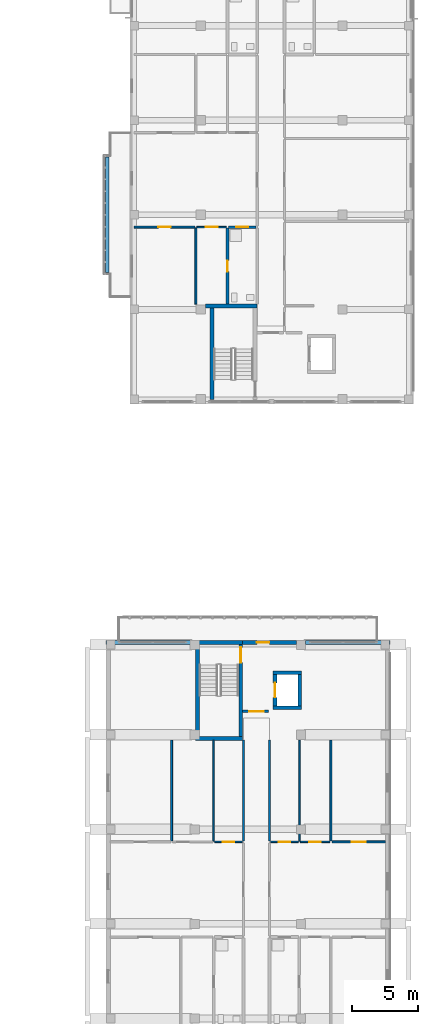
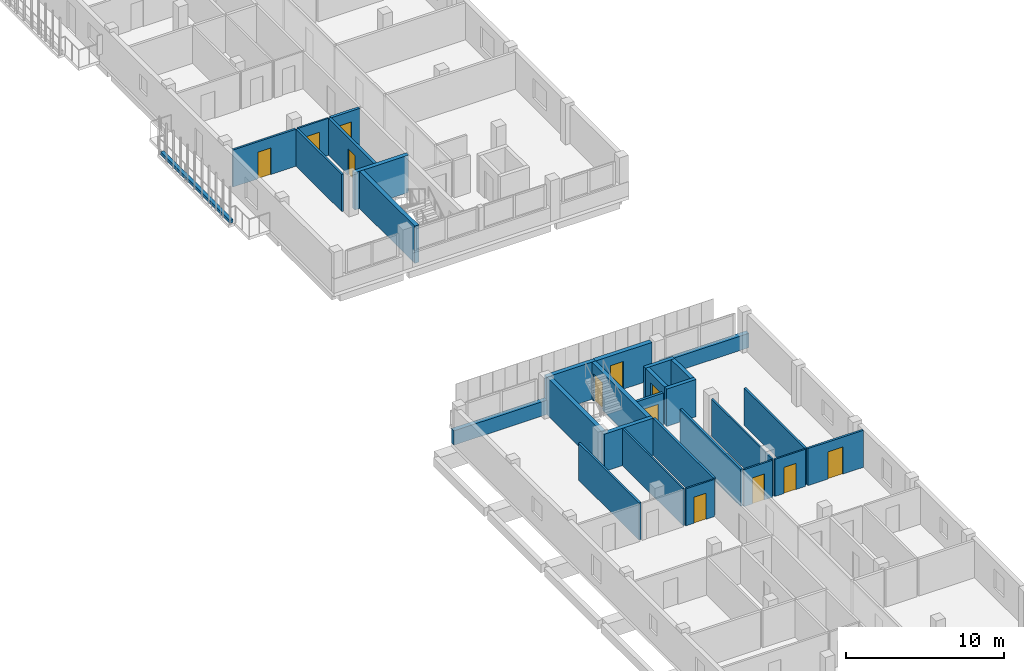
# One storey, part 33 of 51: 30 walls, 12 doors, 12 openings.
"""IFC4 building model written with IfcOpenShell, lengths in metres."""

from ifc_helpers import new_model, si_unit, derived_unit, direction, frame, frame_2d, origin, place, context, subcontext, project, spatial, rectangle, extrude, material, layer, layer_set, type_object, element, fill, save


model = new_model("IFC4")

# Units and contexts
model_context = context("Model", 3, precision=1e-05, world=origin(), true_north=direction((0.0, 1.0)))
body_context = subcontext(model_context, "Body", "Model", "MODEL_VIEW")
ifc_project = project(units=[si_unit("LENGTHUNIT", "METRE"), si_unit("AREAUNIT", "SQUARE_METRE"), si_unit("VOLUMEUNIT", "CUBIC_METRE"), si_unit("PLANEANGLEUNIT", "RADIAN"), si_unit("MASSUNIT", "GRAM", prefix="KILO"), derived_unit("THERMALTRANSMITTANCEUNIT", [(si_unit("MASSUNIT", "GRAM", prefix="KILO"), 1), (si_unit("TIMEUNIT", "SECOND"), -3), (si_unit("THERMODYNAMICTEMPERATUREUNIT", "KELVIN"), -1)])], contexts=[model_context])

# Site, building, storey
site_placement = place(None, origin())
site = spatial("IfcSite", under=ifc_project, at=site_placement, CompositionType="ELEMENT")
building_placement = place(site_placement, origin())
building = spatial("IfcBuilding", under=site, at=building_placement, Name="Ochrekiln Boulevard Commons", CompositionType="ELEMENT")
storey_placement = place(building_placement, frame((0.0, 0.0, 18.375)))
storey = spatial("IfcBuildingStorey", under=building, at=storey_placement, Name="L05", CompositionType="ELEMENT", Elevation=18.375)

# Wall, opening, door
ifc_material_1 = material(Name="Desert ochre clinker brick masonry ASTM C216 Grade SW", Category="masonry")
ifc_layer_1 = layer(ifc_material_1, 0.330078125)
ifc_layer_set_1 = layer_set([ifc_layer_1], Name="Desert ochre clinker brick masonry ASTM C216 Grade SW")
wall_type_1 = type_object("IfcWallType", Name="WL-EXT-OCHRE-330", PredefinedType="SOLIDWALL", material=ifc_layer_set_1)
wall_1_placement = place(storey_placement, frame((159.800048828125, 50.235107421875, 0.0), z_axis=(0.0, 0.0, 1.0), x_axis=(1.0, 0.0, 0.0)))
wall_1 = element("IfcWall", 1, at=wall_1_placement, inside=storey, type_object=wall_type_1, Name="Block C L05 North Balcony Door Wall", PredefinedType="SOLIDWALL", context=body_context, shape_type="SweptSolid", body=[
    extrude(rectangle(XDim=4.099853515625, YDim=0.330078125, at=frame_2d((2.0498046875, 0.0))), origin(), (0.0, 0.0, 1.0), 2.889892578125),
])
opening_1_placement = place(wall_1_placement, frame((1.074951171875, 0.0, 0.0)))
opening_1 = element("IfcOpeningElement", 2, at=opening_1_placement, cuts=wall_1, Name="Opening D-L05-CBL", PredefinedType="OPENING", context=body_context, shape_type="SweptSolid", body=[
    extrude(rectangle(XDim=0.949951171875, YDim=2.14990234375, at=frame_2d((0.47509765625, 1.074951171875))), frame((0.0, 0.175048828125, 0.0), z_axis=(0.0, -1.0, 0.0), x_axis=(1.0, 0.0, 0.0)), (0.0, 0.0, 1.0), 0.35009765625),
])
ifc_material_2 = material(Name="Thermally broken aluminium-clad oak frame", Category="aluminium")
door_type_1 = type_object("IfcDoorType", Name="DR-EXT-BAL-095", OperationType="NOTDEFINED", PredefinedType="DOOR", material=ifc_material_2)
door_1_placement = place(opening_1_placement, origin())
door_1 = element("IfcDoor", 3, at=door_1_placement, inside=storey, type_object=door_type_1, Name="Block C L05 North Courtyard Balcony Door", OperationType="SINGLE_SWING_LEFT", OverallHeight=2.14990234375, OverallWidth=0.949951171875, PredefinedType="DOOR", context=body_context, shape_type="SweptSolid", body=[
    extrude(rectangle(XDim=0.949951171875, YDim=2.14990234375, at=frame_2d((0.47509765625, 1.074951171875))), frame((0.0, 0.02490234375, 0.0), z_axis=(0.0, -1.0, 0.0), x_axis=(1.0, 0.0, 0.0)), (0.0, 0.0, 1.0), 0.050048828125),
])
fill(opening_1, door_1)

# Walls
wall_2_placement = place(storey_placement, frame((149.39990234375, 50.235107421875, 0.0), z_axis=(0.0, 0.0, 1.0), x_axis=(1.0, 0.0, 0.0)))
element("IfcWall", 4, at=wall_2_placement, inside=storey, type_object=wall_type_1, Name="Block C L05 Courtyard Gable Sill Wall L", PredefinedType="SOLIDWALL", context=body_context, shape_type="SweptSolid", body=[
    extrude(rectangle(XDim=6.800048828125, YDim=0.330078125, at=frame_2d((3.39990234375, 0.0))), origin(), (0.0, 0.0, 1.0), 1.110107421875),
])
wall_3_placement = place(storey_placement, frame((164.60009765625, 50.235107421875, 0.0), z_axis=(0.0, 0.0, 1.0), x_axis=(1.0, 0.0, 0.0)))
element("IfcWall", 5, at=wall_3_placement, inside=storey, type_object=wall_type_1, Name="Block C L05 Courtyard Gable Sill Wall R", PredefinedType="SOLIDWALL", context=body_context, shape_type="SweptSolid", body=[
    extrude(rectangle(XDim=6.39990234375, YDim=0.330078125, at=frame_2d((3.199951171875, 0.0))), origin(), (0.0, 0.0, 1.0), 1.110107421875),
])

# Wall, opening, door
ifc_material_3 = material(Name="Moisture-resistant cementitious tile backer wall")
ifc_layer_2 = layer(ifc_material_3, 0.199951171875)
ifc_layer_set_2 = layer_set([ifc_layer_2], Name="Moisture-resistant cementitious tile backer wall")
wall_type_2 = type_object("IfcWallType", Name="WL-PLM-200", PredefinedType="PLUMBINGWALL", material=ifc_layer_set_2)
wall_4_placement = place(storey_placement, frame((158.719970703125, 81.864990234375, 0.0), z_axis=(0.0, 0.0, 1.0), x_axis=(1.0, 0.0, 0.0)))
wall_4 = element("IfcWall", 6, at=wall_4_placement, inside=storey, type_object=wall_type_2, Name="L05 Interior Wall W-PW200", PredefinedType="PLUMBINGWALL", context=body_context, shape_type="SweptSolid", body=[
    extrude(rectangle(XDim=2.10693359375, YDim=0.199951171875, at=frame_2d((1.053466796875, 0.0))), origin(), (0.0, 0.0, 1.0), 2.8701171875),
])
opening_2_placement = place(wall_4_placement, frame((0.60498046875, 0.0, 0.0)))
opening_2 = element("IfcOpeningElement", 7, at=opening_2_placement, cuts=wall_4, Name="Opening D-L05-712", PredefinedType="OPENING", context=body_context, shape_type="SweptSolid", body=[
    extrude(rectangle(XDim=0.889892578125, YDim=2.030029296875, at=frame_2d((0.44482421875, 1.01513671875))), frame((0.0, 0.10986328125, 0.0), z_axis=(0.0, -1.0, 0.0), x_axis=(1.0, 0.0, 0.0)), (0.0, 0.0, 1.0), 0.219970703125),
])
ifc_material_4 = material(Name="Solid core architectural oak door leaf")
door_type_2 = type_object("IfcDoorType", Name="DR-INT-BTH-089", OperationType="NOTDEFINED", PredefinedType="DOOR", material=ifc_material_4)
door_2_placement = place(opening_2_placement, frame((0.889892578125, 0.0, 0.0), z_axis=(0.0, 0.0, 1.0), x_axis=(-1.0, 0.0, 0.0)))
door_2 = element("IfcDoor", 8, at=door_2_placement, inside=storey, type_object=door_type_2, Name="L05 Interior Door to Accessible Apartment Bathroom", OperationType="SINGLE_SWING_RIGHT", OverallHeight=2.030029296875, OverallWidth=0.889892578125, PredefinedType="DOOR", context=body_context, shape_type="SweptSolid", body=[
    extrude(rectangle(XDim=0.889892578125, YDim=2.030029296875, at=frame_2d((0.44482421875, 1.01513671875))), frame((0.0, 0.02490234375, 0.0), z_axis=(0.0, -1.0, 0.0), x_axis=(1.0, 0.0, 0.0)), (0.0, 0.0, 1.0), 0.050048828125),
])
fill(opening_2, door_2)

wall_5_placement = place(storey_placement, frame((158.639892578125, 76.0, 0.0), z_axis=(0.0, 0.0, 1.0), x_axis=(0.0, 1.0, 0.0)))
wall_5 = element("IfcWall", 9, at=wall_5_placement, inside=storey, type_object=wall_type_2, Name="L05 Interior Wall W-PW200", PredefinedType="PLUMBINGWALL", context=body_context, shape_type="SweptSolid", body=[
    extrude(rectangle(XDim=5.804931640625, YDim=0.199951171875, at=frame_2d((2.90234375, 0.0))), origin(), (0.0, 0.0, 1.0), 2.8701171875),
])
opening_3_placement = place(wall_5_placement, frame((2.467041015625, 0.0, 0.0)))
opening_3 = element("IfcOpeningElement", 10, at=opening_3_placement, cuts=wall_5, Name="Opening D-L05-718", PredefinedType="OPENING", context=body_context, shape_type="SweptSolid", body=[
    extrude(rectangle(XDim=0.85009765625, YDim=2.010009765625, at=frame_2d((0.425048828125, 1.0048828125))), frame((0.0, 0.10986328125, 0.0), z_axis=(0.0, -1.0, 0.0), x_axis=(1.0, 0.0, 0.0)), (0.0, 0.0, 1.0), 0.219970703125),
])
door_type_3 = type_object("IfcDoorType", Name="DR-INT-KIT-085", OperationType="NOTDEFINED", PredefinedType="DOOR", material=ifc_material_4)
door_3_placement = place(opening_3_placement, frame((0.85009765625, 0.0, 0.0), z_axis=(0.0, 0.0, 1.0), x_axis=(-1.0, 0.0, 0.0)))
door_3 = element("IfcDoor", 11, at=door_3_placement, inside=storey, type_object=door_type_3, Name="L05 Interior Door to Accessible Apartment Bathroom", OperationType="SINGLE_SWING_RIGHT", OverallHeight=2.010009765625, OverallWidth=0.85009765625, PredefinedType="DOOR", context=body_context, shape_type="SweptSolid", body=[
    extrude(rectangle(XDim=0.85009765625, YDim=2.010009765625, at=frame_2d((0.425048828125, 1.0048828125))), frame((0.0, 0.02490234375, 0.0), z_axis=(0.0, -1.0, 0.0), x_axis=(1.0, 0.0, 0.0)), (0.0, 0.0, 1.0), 0.050048828125),
])
fill(opening_3, door_3)

# Walls
ifc_material_5 = material(Name="Glazed architectural terracotta ASTM C1405", Category="masonry")
ifc_layer_3 = layer(ifc_material_5, 0.25)
ifc_layer_set_3 = layer_set([ifc_layer_3], Name="Glazed architectural terracotta ASTM C1405")
wall_type_3 = type_object("IfcWallType", Name="WL-PLN-250", PredefinedType="PARAPET", material=ifc_layer_set_3)
wall_6_placement = place(storey_placement, frame((149.47998046875, 78.409912109375, 0.0), z_axis=(0.0, 0.0, 1.0), x_axis=(0.0, 1.0, 0.0)))
element("IfcWall", 12, at=wall_6_placement, inside=storey, type_object=wall_type_3, Name="Block B L05 Balcony Terracotta Planter Box 1", PredefinedType="PARAPET", context=body_context, shape_type="SweptSolid", body=[
    extrude(rectangle(XDim=8.780029296875, YDim=0.25, at=frame_2d((4.39013671875, 0.0))), origin(), (0.0, 0.0, 1.0), 0.22998046875),
])
ifc_material_6 = material(Name="Fire-rated Type X gypsum board on steel studs", Category="steel")
ifc_layer_4 = layer(ifc_material_6, 0.1650390625)
ifc_layer_set_4 = layer_set([ifc_layer_4], Name="Fire-rated Type X gypsum board on steel studs")
wall_type_4 = type_object("IfcWallType", Name="WL-PT-CORR-165", PredefinedType="PARTITIONING", material=ifc_layer_set_4)
for number, where, z_axis, x_axis, name in (
    (13, (159.860107421875, 35.1298828125, 0.0), (0.0, 0.0, 1.0), (0.0, 1.0, 0.0), "L05 Interior Wall W-PC165"),
    (14, (161.840087890625, 35.1298828125, 0.0), (0.0, 0.0, 1.0), (0.0, 1.0, 0.0), "L05 Interior Wall W-PC165"),
):
    element("IfcWall", number, at=place(storey_placement, frame(where, z_axis=z_axis, x_axis=x_axis)), inside=storey, type_object=wall_type_4, Name=name, PredefinedType="PARTITIONING", context=body_context, shape_type="SweptSolid", body=[
        extrude(rectangle(XDim=7.670166015625, YDim=0.1650390625, at=frame_2d((3.8349609375, 0.0))), origin(), (0.0, 0.0, 1.0), 2.8701171875),
    ])

# Wall, opening, door
ifc_layer_5 = layer(ifc_material_6, 0.18994140625)
ifc_layer_set_5 = layer_set([ifc_layer_5], Name="Fire-rated Type X gypsum board on steel studs")
wall_type_5 = type_object("IfcWallType", Name="WL-PT-LBY-190", PredefinedType="PARTITIONING", material=ifc_layer_set_5)
wall_7_placement = place(storey_placement, frame((159.800048828125, 44.97998046875, 0.0), z_axis=(0.0, 0.0, 1.0), x_axis=(1.0, 0.0, 0.0)))
wall_7 = element("IfcWall", 15, at=wall_7_placement, inside=storey, type_object=wall_type_5, Name="L05 Interior Wall W-PL190", PredefinedType="PARTITIONING", context=body_context, shape_type="SweptSolid", body=[
    extrude(rectangle(XDim=1.949951171875, YDim=0.18994140625, at=frame_2d((0.97509765625, 0.0))), origin(), (0.0, 0.0, 1.0), 2.8701171875),
])
opening_4_placement = place(wall_7_placement, frame((0.5, 0.0, 0.0)))
opening_4 = element("IfcOpeningElement", 16, at=opening_4_placement, cuts=wall_7, Name="Opening D-L05-728", PredefinedType="OPENING", context=body_context, shape_type="SweptSolid", body=[
    extrude(rectangle(XDim=1.10009765625, YDim=2.1201171875, at=frame_2d((0.550048828125, 1.06005859375))), frame((0.0, 0.10498046875, 0.0), z_axis=(0.0, -1.0, 0.0), x_axis=(1.0, 0.0, 0.0)), (0.0, 0.0, 1.0), 0.2099609375),
])
ifc_material_7 = material(Name="Hollow metal fire-rated steel door assembly", Category="steel")
door_type_4 = type_object("IfcDoorType", Name="DR-LOBBY-60", OperationType="NOTDEFINED", PredefinedType="DOOR", material=ifc_material_7)
door_4_placement = place(opening_4_placement, origin())
door_4 = element("IfcDoor", 17, at=door_4_placement, inside=storey, type_object=door_type_4, Name="L05 Interior Door to Passenger Elevator Lobby", OperationType="SINGLE_SWING_RIGHT", OverallHeight=2.1201171875, OverallWidth=1.10009765625, PredefinedType="DOOR", context=body_context, shape_type="SweptSolid", body=[
    extrude(rectangle(XDim=1.10009765625, YDim=2.1201171875, at=frame_2d((0.550048828125, 1.06005859375))), frame((0.0, 0.02490234375, 0.0), z_axis=(0.0, -1.0, 0.0), x_axis=(1.0, 0.0, 0.0)), (0.0, 0.0, 1.0), 0.050048828125),
])
fill(opening_4, door_4)

ifc_layer_6 = layer(ifc_material_6, 0.1201171875)
ifc_layer_set_6 = layer_set([ifc_layer_6], Name="Fire-rated Type X gypsum board on steel studs")
wall_type_6 = type_object("IfcWallType", Name="WL-PT-LGT-120", PredefinedType="PARTITIONING", material=ifc_layer_set_6)
wall_8_placement = place(storey_placement, frame((156.31005859375, 81.864990234375, 0.0), z_axis=(0.0, 0.0, 1.0), x_axis=(1.0, 0.0, 0.0)))
wall_8 = element("IfcWall", 18, at=wall_8_placement, inside=storey, type_object=wall_type_6, Name="L05 Interior Wall W-PL120", PredefinedType="PARTITIONING", context=body_context, shape_type="SweptSolid", body=[
    extrude(rectangle(XDim=2.25, YDim=0.1201171875, at=frame_2d((1.125, 0.0))), origin(), (0.0, 0.0, 1.0), 2.8701171875),
])
opening_5_placement = place(wall_8_placement, frame((0.6650390625, 0.0, 0.0)))
opening_5 = element("IfcOpeningElement", 19, at=opening_5_placement, cuts=wall_8, Name="Opening D-L05-715", PredefinedType="OPENING", context=body_context, shape_type="SweptSolid", body=[
    extrude(rectangle(XDim=0.919921875, YDim=2.02001953125, at=frame_2d((0.4599609375, 1.010009765625))), frame((0.0, 0.070068359375, 0.0), z_axis=(0.0, -1.0, 0.0), x_axis=(1.0, 0.0, 0.0)), (0.0, 0.0, 1.0), 0.14013671875),
])
door_type_5 = type_object("IfcDoorType", Name="DR-INT-KIT-092", OperationType="NOTDEFINED", PredefinedType="DOOR", material=ifc_material_4)
door_5_placement = place(opening_5_placement, frame((0.919921875, 0.0, 0.0), z_axis=(0.0, 0.0, 1.0), x_axis=(-1.0, 0.0, 0.0)))
door_5 = element("IfcDoor", 20, at=door_5_placement, inside=storey, type_object=door_type_5, Name="L05 Interior Door to Apartment Walk-In Wardrobe", OperationType="SINGLE_SWING_LEFT", OverallHeight=2.02001953125, OverallWidth=0.919921875, PredefinedType="DOOR", context=body_context, shape_type="SweptSolid", body=[
    extrude(rectangle(XDim=0.919921875, YDim=2.02001953125, at=frame_2d((0.4599609375, 1.010009765625))), frame((0.0, 0.02490234375, 0.0), z_axis=(0.0, -1.0, 0.0), x_axis=(1.0, 0.0, 0.0)), (0.0, 0.0, 1.0), 0.050048828125),
])
fill(opening_5, door_5)

wall_9_placement = place(storey_placement, frame((157.669921875, 35.050048828125, 0.0), z_axis=(0.0, 0.0, 1.0), x_axis=(1.0, 0.0, 0.0)))
wall_9 = element("IfcWall", 21, at=wall_9_placement, inside=storey, type_object=wall_type_6, Name="L05 Interior Wall W-PL120", PredefinedType="PARTITIONING", context=body_context, shape_type="SweptSolid", body=[
    extrude(rectangle(XDim=2.108154296875, YDim=0.1201171875, at=frame_2d((1.05419921875, 0.0))), origin(), (0.0, 0.0, 1.0), 2.8701171875),
])
opening_6_placement = place(wall_9_placement, frame((0.610107421875, 0.0, 0.0)))
opening_6 = element("IfcOpeningElement", 22, at=opening_6_placement, cuts=wall_9, Name="Opening D-L05-740", PredefinedType="OPENING", context=body_context, shape_type="SweptSolid", body=[
    extrude(rectangle(XDim=0.8798828125, YDim=2.02001953125, at=frame_2d((0.43994140625, 1.010009765625))), frame((0.0, 0.070068359375, 0.0), z_axis=(0.0, -1.0, 0.0), x_axis=(1.0, 0.0, 0.0)), (0.0, 0.0, 1.0), 0.14013671875),
])
door_type_6 = type_object("IfcDoorType", Name="DR-INT-KIT-088", OperationType="NOTDEFINED", PredefinedType="DOOR", material=ifc_material_4)
door_6_placement = place(opening_6_placement, origin())
door_6 = element("IfcDoor", 23, at=door_6_placement, inside=storey, type_object=door_type_6, Name="L05 Interior Door to Apartment Kitchen", OperationType="SINGLE_SWING_RIGHT", OverallHeight=2.02001953125, OverallWidth=0.8798828125, PredefinedType="DOOR", context=body_context, shape_type="SweptSolid", body=[
    extrude(rectangle(XDim=0.8798828125, YDim=2.02001953125, at=frame_2d((0.43994140625, 1.010009765625))), frame((0.0, 0.02490234375, 0.0), z_axis=(0.0, -1.0, 0.0), x_axis=(1.0, 0.0, 0.0)), (0.0, 0.0, 1.0), 0.050048828125),
])
fill(opening_6, door_6)

# Wall
wall_10_placement = place(storey_placement, frame((157.590087890625, 35.110107421875, 0.0), z_axis=(0.0, 0.0, 1.0), x_axis=(0.0, 1.0, 0.0)))
element("IfcWall", 24, at=wall_10_placement, inside=storey, type_object=wall_type_6, Name="L05 Interior Wall W-PL120", PredefinedType="PARTITIONING", context=body_context, shape_type="SweptSolid", body=[
    extrude(rectangle(XDim=7.68994140625, YDim=0.1201171875, at=frame_2d((3.844970703125, 0.0))), origin(), (0.0, 0.0, 1.0), 2.8701171875),
])

# Wall, opening, door
wall_11_placement = place(storey_placement, frame((161.923095703125, 35.050048828125, 0.0), z_axis=(0.0, 0.0, 1.0), x_axis=(1.0, 0.0, 0.0)))
wall_11 = element("IfcWall", 25, at=wall_11_placement, inside=storey, type_object=wall_type_6, Name="L05 Interior Wall W-PL120", PredefinedType="PARTITIONING", context=body_context, shape_type="SweptSolid", body=[
    extrude(rectangle(XDim=2.10693359375, YDim=0.1201171875, at=frame_2d((1.053466796875, 0.0))), origin(), (0.0, 0.0, 1.0), 2.8701171875),
])
opening_7_placement = place(wall_11_placement, frame((0.616943359375, 0.0, 0.0)))
opening_7 = element("IfcOpeningElement", 26, at=opening_7_placement, cuts=wall_11, Name="Opening D-L05-746", PredefinedType="OPENING", context=body_context, shape_type="SweptSolid", body=[
    extrude(rectangle(XDim=0.8798828125, YDim=2.02001953125, at=frame_2d((0.43994140625, 1.010009765625))), frame((0.0, 0.070068359375, 0.0), z_axis=(0.0, -1.0, 0.0), x_axis=(1.0, 0.0, 0.0)), (0.0, 0.0, 1.0), 0.14013671875),
])
door_7_placement = place(opening_7_placement, origin())
door_7 = element("IfcDoor", 27, at=door_7_placement, inside=storey, type_object=door_type_6, Name="L05 Interior Door to Apartment Kitchen", OperationType="SINGLE_SWING_RIGHT", OverallHeight=2.02001953125, OverallWidth=0.8798828125, PredefinedType="DOOR", context=body_context, shape_type="SweptSolid", body=[
    extrude(rectangle(XDim=0.8798828125, YDim=2.02001953125, at=frame_2d((0.43994140625, 1.010009765625))), frame((0.0, 0.02490234375, 0.0), z_axis=(0.0, -1.0, 0.0), x_axis=(1.0, 0.0, 0.0)), (0.0, 0.0, 1.0), 0.050048828125),
])
fill(opening_7, door_7)

wall_12_placement = place(storey_placement, frame((164.18994140625, 35.050048828125, 0.0), z_axis=(0.0, 0.0, 1.0), x_axis=(1.0, 0.0, 0.0)))
wall_12 = element("IfcWall", 28, at=wall_12_placement, inside=storey, type_object=wall_type_6, Name="L05 Interior Wall W-PL120", PredefinedType="PARTITIONING", context=body_context, shape_type="SweptSolid", body=[
    extrude(rectangle(XDim=2.25, YDim=0.1201171875, at=frame_2d((1.125, 0.0))), origin(), (0.0, 0.0, 1.0), 2.8701171875),
])
opening_8_placement = place(wall_12_placement, frame((0.68505859375, 0.0, 0.0)))
opening_8 = element("IfcOpeningElement", 29, at=opening_8_placement, cuts=wall_12, Name="Opening D-L05-750", PredefinedType="OPENING", context=body_context, shape_type="SweptSolid", body=[
    extrude(rectangle(XDim=0.8798828125, YDim=2.02001953125, at=frame_2d((0.43994140625, 1.010009765625))), frame((0.0, 0.070068359375, 0.0), z_axis=(0.0, -1.0, 0.0), x_axis=(1.0, 0.0, 0.0)), (0.0, 0.0, 1.0), 0.14013671875),
])
door_8_placement = place(opening_8_placement, origin())
door_8 = element("IfcDoor", 30, at=door_8_placement, inside=storey, type_object=door_type_6, Name="L05 Interior Door to Apartment Walk-In Wardrobe", OperationType="SINGLE_SWING_RIGHT", OverallHeight=2.02001953125, OverallWidth=0.8798828125, PredefinedType="DOOR", context=body_context, shape_type="SweptSolid", body=[
    extrude(rectangle(XDim=0.8798828125, YDim=2.02001953125, at=frame_2d((0.43994140625, 1.010009765625))), frame((0.0, 0.02490234375, 0.0), z_axis=(0.0, -1.0, 0.0), x_axis=(1.0, 0.0, 0.0)), (0.0, 0.0, 1.0), 0.050048828125),
])
fill(opening_8, door_8)

# Wall
wall_13_placement = place(storey_placement, frame((164.110107421875, 35.110107421875, 0.0), z_axis=(0.0, 0.0, 1.0), x_axis=(0.0, 1.0, 0.0)))
element("IfcWall", 31, at=wall_13_placement, inside=storey, type_object=wall_type_6, Name="L05 Interior Wall W-PL120", PredefinedType="PARTITIONING", context=body_context, shape_type="SweptSolid", body=[
    extrude(rectangle(XDim=7.68994140625, YDim=0.1201171875, at=frame_2d((3.844970703125, 0.0))), origin(), (0.0, 0.0, 1.0), 2.8701171875),
])

# Wall, opening, door
ifc_layer_7 = layer(ifc_material_6, 0.14990234375)
ifc_layer_set_7 = layer_set([ifc_layer_7], Name="Fire-rated Type X gypsum board on steel studs")
wall_type_7 = type_object("IfcWallType", Name="WL-PT-STD-150", PredefinedType="PARTITIONING", material=ifc_layer_set_7)
wall_14_placement = place(storey_placement, frame((151.5400390625, 81.864990234375, 0.0), z_axis=(0.0, 0.0, 1.0), x_axis=(1.0, 0.0, 0.0)))
wall_14 = element("IfcWall", 32, at=wall_14_placement, inside=storey, type_object=wall_type_7, Name="L05 Interior Wall W-PS150", PredefinedType="PARTITIONING", context=body_context, shape_type="SweptSolid", body=[
    extrude(rectangle(XDim=4.60986328125, YDim=0.14990234375, at=frame_2d((2.304931640625, 0.0))), origin(), (0.0, 0.0, 1.0), 2.8701171875),
])
opening_9_placement = place(wall_14_placement, frame((1.840087890625, 0.0, 0.0)))
opening_9 = element("IfcOpeningElement", 33, at=opening_9_placement, cuts=wall_14, Name="Opening D-L05-714", PredefinedType="OPENING", context=body_context, shape_type="SweptSolid", body=[
    extrude(rectangle(XDim=0.93994140625, YDim=2.06005859375, at=frame_2d((0.469970703125, 1.030029296875))), frame((0.0, 0.0849609375, 0.0), z_axis=(0.0, -1.0, 0.0), x_axis=(1.0, 0.0, 0.0)), (0.0, 0.0, 1.0), 0.169921875),
])
door_type_7 = type_object("IfcDoorType", Name="DR-INT-BED-094", OperationType="NOTDEFINED", PredefinedType="DOOR", material=ifc_material_4)
door_9_placement = place(opening_9_placement, frame((0.93994140625, 0.0, 0.0), z_axis=(0.0, 0.0, 1.0), x_axis=(-1.0, 0.0, 0.0)))
door_9 = element("IfcDoor", 34, at=door_9_placement, inside=storey, type_object=door_type_7, Name="L05 Interior Door to Primary Apartment Bedroom", OperationType="SINGLE_SWING_RIGHT", OverallHeight=2.06005859375, OverallWidth=0.93994140625, PredefinedType="DOOR", context=body_context, shape_type="SweptSolid", body=[
    extrude(rectangle(XDim=0.93994140625, YDim=2.06005859375, at=frame_2d((0.469970703125, 1.030029296875))), frame((0.0, 0.02490234375, 0.0), z_axis=(0.0, -1.0, 0.0), x_axis=(1.0, 0.0, 0.0)), (0.0, 0.0, 1.0), 0.050048828125),
])
fill(opening_9, door_9)

# Walls
wall_15_placement = place(storey_placement, frame((156.22998046875, 76.0, 0.0), z_axis=(0.0, 0.0, 1.0), x_axis=(0.0, 1.0, 0.0)))
element("IfcWall", 35, at=wall_15_placement, inside=storey, type_object=wall_type_7, Name="L05 Interior Wall W-PS150", PredefinedType="PARTITIONING", context=body_context, shape_type="SweptSolid", body=[
    extrude(rectangle(XDim=5.804931640625, YDim=0.14990234375, at=frame_2d((2.90234375, 0.0))), origin(), (0.0, 0.0, 1.0), 2.8701171875),
])
wall_16_placement = place(storey_placement, frame((154.39306640625, 35.125, 0.0), z_axis=(0.0, 0.0, 1.0), x_axis=(0.0, 1.0, 0.0)))
element("IfcWall", 36, at=wall_16_placement, inside=storey, type_object=wall_type_7, Name="L05 Interior Wall W-PS150", PredefinedType="PARTITIONING", context=body_context, shape_type="SweptSolid", body=[
    extrude(rectangle(XDim=7.675048828125, YDim=0.14990234375, at=frame_2d((3.83740234375, 0.0))), origin(), (0.0, 0.0, 1.0), 2.8701171875),
])

# Wall, opening, door
wall_17_placement = place(storey_placement, frame((166.60009765625, 35.050048828125, 0.0), z_axis=(0.0, 0.0, 1.0), x_axis=(1.0, 0.0, 0.0)))
wall_17 = element("IfcWall", 37, at=wall_17_placement, inside=storey, type_object=wall_type_7, Name="L05 Interior Wall W-PS150", PredefinedType="PARTITIONING", context=body_context, shape_type="SweptSolid", body=[
    extrude(rectangle(XDim=4.06982421875, YDim=0.14990234375, at=frame_2d((2.034912109375, 0.0))), origin(), (0.0, 0.0, 1.0), 2.8701171875),
])
opening_10_placement = place(wall_17_placement, frame((1.485107421875, 0.0, 0.0)))
opening_10 = element("IfcOpeningElement", 38, at=opening_10_placement, cuts=wall_17, Name="Opening D-L05-749", PredefinedType="OPENING", context=body_context, shape_type="SweptSolid", body=[
    extrude(rectangle(XDim=1.080078125, YDim=2.10009765625, at=frame_2d((0.5400390625, 1.050048828125))), frame((0.0, 0.0849609375, 0.0), z_axis=(0.0, -1.0, 0.0), x_axis=(1.0, 0.0, 0.0)), (0.0, 0.0, 1.0), 0.169921875),
])
door_type_8 = type_object("IfcDoorType", Name="DR-INT-BED-108", OperationType="NOTDEFINED", PredefinedType="DOOR", material=ifc_material_4)
door_10_placement = place(opening_10_placement, origin())
door_10 = element("IfcDoor", 39, at=door_10_placement, inside=storey, type_object=door_type_8, Name="L05 Interior Door to Secondary Apartment Bedroom", OperationType="SINGLE_SWING_LEFT", OverallHeight=2.10009765625, OverallWidth=1.080078125, PredefinedType="DOOR", context=body_context, shape_type="SweptSolid", body=[
    extrude(rectangle(XDim=1.080078125, YDim=2.10009765625, at=frame_2d((0.5400390625, 1.050048828125))), frame((0.0, 0.02490234375, 0.0), z_axis=(0.0, -1.0, 0.0), x_axis=(1.0, 0.0, 0.0)), (0.0, 0.0, 1.0), 0.050048828125),
])
fill(opening_10, door_10)

# Walls
wall_18_placement = place(storey_placement, frame((166.52001953125, 35.125, 0.0), z_axis=(0.0, 0.0, 1.0), x_axis=(0.0, 1.0, 0.0)))
element("IfcWall", 40, at=wall_18_placement, inside=storey, type_object=wall_type_7, Name="L05 Interior Wall W-PS150", PredefinedType="PARTITIONING", context=body_context, shape_type="SweptSolid", body=[
    extrude(rectangle(XDim=7.675048828125, YDim=0.14990234375, at=frame_2d((3.83740234375, 0.0))), origin(), (0.0, 0.0, 1.0), 2.8701171875),
])
ifc_material_8 = material(Name="Concrete C40/50", Category="concrete")
ifc_layer_8 = layer(ifc_material_8, 0.27490234375)
ifc_layer_set_8 = layer_set([ifc_layer_8], Name="Concrete C40/50")
wall_type_8 = type_object("IfcWallType", Name="WL-SH-275", PredefinedType="SHEAR", material=ifc_layer_set_8)
for number, where, z_axis, x_axis, name in (
    (41, (162.125, 45.262451171875, 0.0), (0.0, 0.0, 1.0), (1.0, 0.0, 0.0), "Elevator LP-C2 L05 Hoistway Shear Wall"),
    (42, (162.125, 47.9375, 0.0), (0.0, 0.0, 1.0), (1.0, 0.0, 0.0), "Elevator LP-C2 L05 Hoistway Shear Wall"),
):
    element("IfcWall", number, at=place(storey_placement, frame(where, z_axis=z_axis, x_axis=x_axis)), inside=storey, type_object=wall_type_8, Name=name, PredefinedType="SHEAR", context=body_context, shape_type="SweptSolid", body=[
        extrude(rectangle(XDim=2.14990234375, YDim=0.27490234375, at=frame_2d((1.074951171875, 0.0))), origin(), (0.0, 0.0, 1.0), 2.889892578125),
    ])

# Wall, opening, door
wall_19_placement = place(storey_placement, frame((162.262451171875, 45.39990234375, 0.0), z_axis=(0.0, 0.0, 1.0), x_axis=(0.0, 1.0, 0.0)))
wall_19 = element("IfcWall", 43, at=wall_19_placement, inside=storey, type_object=wall_type_8, Name="Elevator LP-C2 L05 Hoistway Shear Wall", PredefinedType="SHEAR", context=body_context, shape_type="SweptSolid", body=[
    extrude(rectangle(XDim=2.400146484375, YDim=0.27490234375, at=frame_2d((1.2001953125, 0.0))), origin(), (0.0, 0.0, 1.0), 2.889892578125),
])
opening_11_placement = place(wall_19_placement, frame((0.64990234375, 0.0, 0.0)))
opening_11 = element("IfcOpeningElement", 44, at=opening_11_placement, cuts=wall_19, Name="Opening LD-LP-C2-L05", PredefinedType="OPENING", context=body_context, shape_type="SweptSolid", body=[
    extrude(rectangle(XDim=1.10009765625, YDim=2.14990234375, at=frame_2d((0.550048828125, 1.074951171875))), frame((0.0, 0.1474609375, 0.0), z_axis=(0.0, -1.0, 0.0), x_axis=(1.0, 0.0, 0.0)), (0.0, 0.0, 1.0), 0.294921875),
])
ifc_material_9 = material(Name="Brushed stainless steel 316 elevator cab and doors", Category="steel")
door_type_9 = type_object("IfcDoorType", Name="DR-LIFT-LD90", OperationType="SLIDING_TO_LEFT", PredefinedType="DOOR", material=ifc_material_9)
door_11_placement = place(opening_11_placement, origin())
door_11 = element("IfcDoor", 45, at=door_11_placement, inside=storey, type_object=door_type_9, Name="Elevator LP-C2 L05 Sliding Landing Door LD-LP-C2-L05", OperationType="SLIDING_TO_LEFT", OverallHeight=2.14990234375, OverallWidth=1.10009765625, PredefinedType="DOOR", context=body_context, shape_type="SweptSolid", body=[
    extrude(rectangle(XDim=1.10009765625, YDim=2.14990234375, at=frame_2d((0.550048828125, 1.074951171875))), frame((0.0, 0.02490234375, 0.0), z_axis=(0.0, -1.0, 0.0), x_axis=(1.0, 0.0, 0.0)), (0.0, 0.0, 1.0), 0.050048828125),
])
fill(opening_11, door_11)

# Walls
wall_20_placement = place(storey_placement, frame((164.137451171875, 45.39990234375, 0.0), z_axis=(0.0, 0.0, 1.0), x_axis=(0.0, 1.0, 0.0)))
element("IfcWall", 46, at=wall_20_placement, inside=storey, type_object=wall_type_8, Name="Elevator LP-C2 L05 Hoistway Shear Wall", PredefinedType="SHEAR", context=body_context, shape_type="SweptSolid", body=[
    extrude(rectangle(XDim=2.400146484375, YDim=0.27490234375, at=frame_2d((1.2001953125, 0.0))), origin(), (0.0, 0.0, 1.0), 2.889892578125),
])
ifc_layer_9 = layer(ifc_material_8, 0.300048828125)
ifc_layer_set_9 = layer_set([ifc_layer_9], Name="Concrete C40/50")
wall_type_9 = type_object("IfcWallType", Name="WL-SH-300", PredefinedType="SHEAR", material=ifc_layer_set_9)
wall_21_placement = place(storey_placement, frame((156.949951171875, 75.8701171875, 0.0), z_axis=(0.0, 0.0, 1.0), x_axis=(1.0, 0.0, 0.0)))
element("IfcWall", 47, at=wall_21_placement, inside=storey, type_object=wall_type_9, Name="Stair ST-B1 L05 Core Shear Wall N", PredefinedType="SHEAR", context=body_context, shape_type="SweptSolid", body=[
    extrude(rectangle(XDim=3.949951171875, YDim=0.300048828125, at=frame_2d((1.97509765625, 0.0))), origin(), (0.0, 0.0, 1.0), 2.889892578125),
])
wall_22_placement = place(storey_placement, frame((157.449951171875, 68.719970703125, 0.0), z_axis=(0.0, 0.0, 1.0), x_axis=(0.0, 1.0, 0.0)))
element("IfcWall", 48, at=wall_22_placement, inside=storey, type_object=wall_type_9, Name="Stair ST-B1 L05 Core Shear Wall W", PredefinedType="SHEAR", context=body_context, shape_type="SweptSolid", body=[
    extrude(rectangle(XDim=7.0, YDim=0.300048828125, at=frame_2d((3.5, 0.0))), origin(), (0.0, 0.0, 1.0), 2.889892578125),
])
for number, where, z_axis, x_axis, name in (
    (49, (156.199951171875, 42.929931640625, 0.0), (0.0, 0.0, 1.0), (1.0, 0.0, 0.0), "Stair ST-C2 L05 Core Shear Wall S"),
    (50, (156.199951171875, 50.22998046875, 0.0), (0.0, 0.0, 1.0), (1.0, 0.0, 0.0), "Stair ST-C2 L05 Core Shear Wall N"),
):
    element("IfcWall", number, at=place(storey_placement, frame(where, z_axis=z_axis, x_axis=x_axis)), inside=storey, type_object=wall_type_9, Name=name, PredefinedType="SHEAR", context=body_context, shape_type="SweptSolid", body=[
        extrude(rectangle(XDim=3.60009765625, YDim=0.300048828125, at=frame_2d((1.800048828125, 0.0))), origin(), (0.0, 0.0, 1.0), 2.889892578125),
    ])
wall_23_placement = place(storey_placement, frame((156.35009765625, 43.080078125, 0.0), z_axis=(0.0, 0.0, 1.0), x_axis=(0.0, 1.0, 0.0)))
element("IfcWall", 51, at=wall_23_placement, inside=storey, type_object=wall_type_9, Name="Stair ST-C2 L05 Core Shear Wall W", PredefinedType="SHEAR", context=body_context, shape_type="SweptSolid", body=[
    extrude(rectangle(XDim=7.0, YDim=0.300048828125, at=frame_2d((3.5, 0.0))), origin(), (0.0, 0.0, 1.0), 2.889892578125),
])

# Wall, opening, door
wall_24_placement = place(storey_placement, frame((159.64990234375, 43.080078125, 0.0), z_axis=(0.0, 0.0, 1.0), x_axis=(0.0, 1.0, 0.0)))
wall_24 = element("IfcWall", 52, at=wall_24_placement, inside=storey, type_object=wall_type_9, Name="Stair ST-C2 L05 Core Shear Wall E", PredefinedType="SHEAR", context=body_context, shape_type="SweptSolid", body=[
    extrude(rectangle(XDim=7.0, YDim=0.300048828125, at=frame_2d((3.5, 0.0))), origin(), (0.0, 0.0, 1.0), 2.889892578125),
])
opening_12_placement = place(wall_24_placement, frame((5.625, 0.0, 0.0)))
opening_12 = element("IfcOpeningElement", 53, at=opening_12_placement, cuts=wall_24, Name="Opening D-L05-ST-C2", PredefinedType="OPENING", context=body_context, shape_type="SweptSolid", body=[
    extrude(rectangle(XDim=1.14990234375, YDim=2.1201171875, at=frame_2d((0.574951171875, 1.06005859375))), frame((0.0, 0.159912109375, 0.0), z_axis=(0.0, -1.0, 0.0), x_axis=(1.0, 0.0, 0.0)), (0.0, 0.0, 1.0), 0.320068359375),
])
door_type_10 = type_object("IfcDoorType", Name="DR-STAIR-90", OperationType="NOTDEFINED", PredefinedType="DOOR", material=ifc_material_7)
door_12_placement = place(opening_12_placement, origin())
door_12 = element("IfcDoor", 54, at=door_12_placement, inside=storey, type_object=door_type_10, Name="Enclosed Exit Stair ST-C2 L05 Rated Door", OperationType="SINGLE_SWING_LEFT", OverallHeight=2.1201171875, OverallWidth=1.14990234375, PredefinedType="DOOR", context=body_context, shape_type="SweptSolid", body=[
    extrude(rectangle(XDim=1.14990234375, YDim=2.1201171875, at=frame_2d((0.574951171875, 1.06005859375))), frame((0.0, 0.02490234375, 0.0), z_axis=(0.0, -1.0, 0.0), x_axis=(1.0, 0.0, 0.0)), (0.0, 0.0, 1.0), 0.050048828125),
])
fill(opening_12, door_12)

save(model, "model.ifc")
